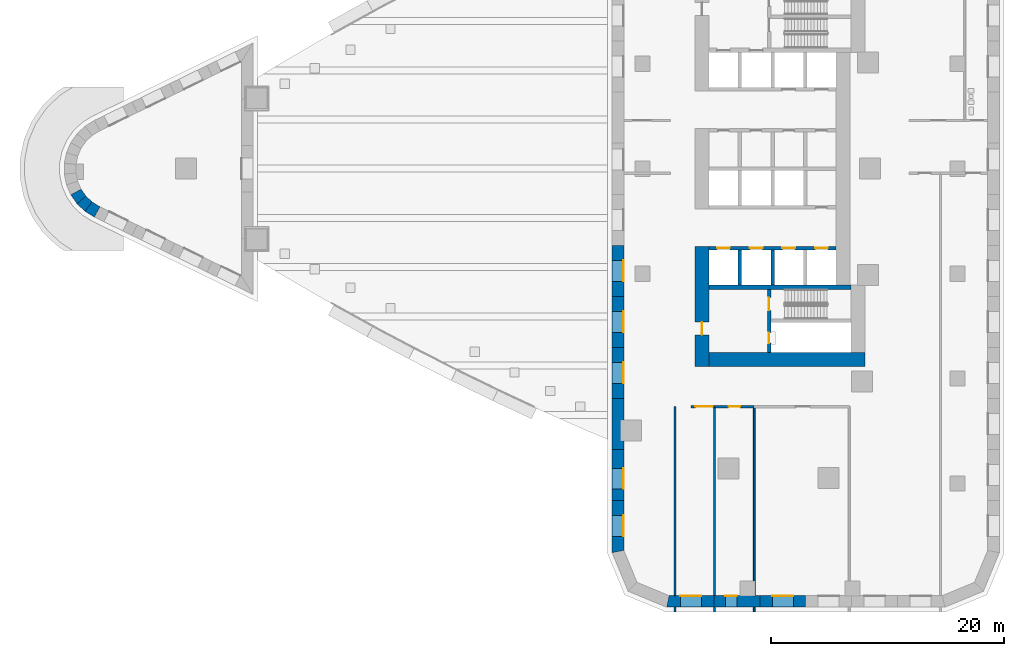
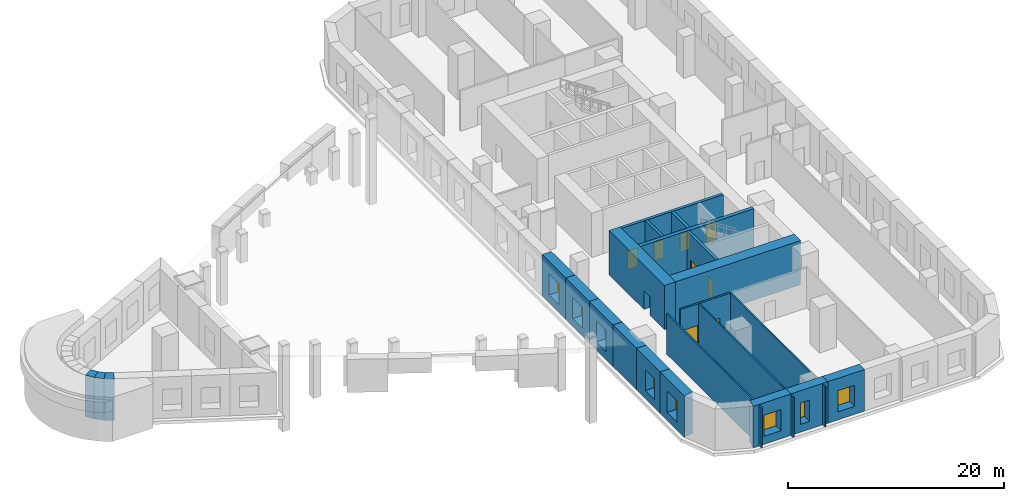
# One storey, part 2 of 11: 27 walls, 9 doors, 8 windows, 17 openings.
"""IFC4 building model written with IfcOpenShell, lengths in metres."""

from ifc_helpers import new_model, si_unit, direction, frame, frame_2d, origin, place, context, subcontext, project, spatial, polyline, rectangle, outline, extrude, material, layer, layer_set, type_object, element, fill, save


model = new_model("IFC4")

# Units and contexts
model_context = context("Model", 3, precision=1e-05, world=origin(), true_north=direction((0.0, 1.0)))
body_context = subcontext(model_context, "Body", "Model", "MODEL_VIEW")
ifc_project = project(units=[si_unit("LENGTHUNIT", "METRE"), si_unit("AREAUNIT", "SQUARE_METRE"), si_unit("VOLUMEUNIT", "CUBIC_METRE"), si_unit("PLANEANGLEUNIT", "RADIAN"), si_unit("MASSUNIT", "GRAM", prefix="KILO")], contexts=[model_context])

# Site, building, storey
site_placement = place(None, origin())
site = spatial("IfcSite", under=ifc_project, at=site_placement, CompositionType="ELEMENT")
building_placement = place(site_placement, origin())
building = spatial("IfcBuilding", under=site, at=building_placement, Name="Ostrand Prow Hotel Tower", CompositionType="ELEMENT")
storey_placement = place(building_placement, frame((0.0, 0.0, 24.0)))
storey = spatial("IfcBuildingStorey", under=building, at=storey_placement, Name="L04", CompositionType="ELEMENT", Elevation=24.0)

# Wall, opening, door
ifc_material_1 = material(Name="Concrete C80/95", Category="concrete")
ifc_layer_1 = layer(ifc_material_1, 1.199951171875)
ifc_layer_set_1 = layer_set([ifc_layer_1], Name="Concrete C80/95")
wall_type_1 = type_object("IfcWallType", Name="Core wall 1200 C80/95", PredefinedType="SHEAR", material=ifc_layer_set_1)
wall_1_placement = place(storey_placement, frame((50.10009765625, -16.949951171875, 0.0), z_axis=(0.0, 0.0, 1.0), x_axis=(0.0, 1.0, 0.0)))
wall_1 = element("IfcWall", 1, at=wall_1_placement, inside=storey, type_object=wall_type_1, Name="Core wall CW-W-S", PredefinedType="SHEAR", context=body_context, shape_type="SweptSolid", body=[
    extrude(rectangle(XDim=10.300048828125, YDim=1.199951171875, at=frame_2d((5.14990234375, 0.0))), origin(), (0.0, 0.0, 1.0), 5.0),
])
opening_1_placement = place(wall_1_placement, frame((2.699951171875, 0.0, 0.0)))
opening_1 = element("IfcOpeningElement", 2, at=opening_1_placement, cuts=wall_1, Name="Opening FD1", PredefinedType="OPENING", context=body_context, shape_type="SweptSolid", body=[
    extrude(rectangle(XDim=1.10009765625, YDim=2.10009765625, at=frame_2d((0.550048828125, 1.050048828125))), frame((0.0, 0.60986328125, 0.0), z_axis=(0.0, -1.0, 0.0), x_axis=(1.0, 0.0, 0.0)), (0.0, 0.0, 1.0), 1.219970703125),
])
ifc_material_2 = material(Name="Steel fire door", Category="steel")
door_type_1 = type_object("IfcDoorType", Name="Fire door 1100 EI120", OperationType="SINGLE_SWING_RIGHT", PredefinedType="DOOR", material=ifc_material_2)
door_1_placement = place(opening_1_placement, origin())
door_1 = element("IfcDoor", 3, at=door_1_placement, inside=storey, type_object=door_type_1, Name="FIRE DOOR", OperationType="SINGLE_SWING_RIGHT", OverallHeight=2.10009765625, OverallWidth=1.10009765625, PredefinedType="DOOR", context=body_context, shape_type="SweptSolid", body=[
    extrude(rectangle(XDim=1.10009765625, YDim=2.10009765625, at=frame_2d((0.550048828125, 1.050048828125))), frame((0.0, 0.02490234375, 0.0), z_axis=(0.0, -1.0, 0.0), x_axis=(1.0, 0.0, 0.0)), (0.0, 0.0, 1.0), 0.050048828125),
])
fill(opening_1, door_1)

# Wall
wall_2_placement = place(storey_placement, frame((50.699951171875, -16.35009765625, 0.0), z_axis=(0.0, 0.0, 1.0), x_axis=(1.0, 0.0, 0.0)))
element("IfcWall", 4, at=wall_2_placement, inside=storey, type_object=wall_type_1, Name="Core wall CW-S", PredefinedType="SHEAR", context=body_context, shape_type="SweptSolid", body=[
    extrude(rectangle(XDim=13.380126953125, YDim=1.199951171875, at=frame_2d((6.68994140625, 0.0))), origin(), (0.0, 0.0, 1.0), 5.0),
])

# Wall, openings, doors
ifc_material_3 = material(Name="Concrete C80/95", Category="concrete")
ifc_layer_2 = layer(ifc_material_3, 0.300048828125)
ifc_layer_set_2 = layer_set([ifc_layer_2], Name="Concrete C80/95")
wall_type_2 = type_object("IfcWallType", Name="Core wall 300 C80/95", PredefinedType="SHEAR", material=ifc_layer_set_2)
wall_3_placement = place(storey_placement, frame((50.699951171875, -6.800048828125, 0.0), z_axis=(0.0, 0.0, 1.0), x_axis=(1.0, 0.0, 0.0)))
wall_3 = element("IfcWall", 5, at=wall_3_placement, inside=storey, type_object=wall_type_2, Name="Core wall PW-L2-S", PredefinedType="SHEAR", context=body_context, shape_type="SweptSolid", body=[
    extrude(rectangle(XDim=10.900146484375, YDim=0.300048828125, at=frame_2d((5.4501953125, 0.0))), origin(), (0.0, 0.0, 1.0), 5.0),
])
opening_2_placement = place(wall_3_placement, frame((0.699951171875, 0.0, 0.0)))
opening_2 = element("IfcOpeningElement", 6, at=opening_2_placement, cuts=wall_3, Name="Opening LD", PredefinedType="OPENING", context=body_context, shape_type="SweptSolid", body=[
    extrude(rectangle(XDim=1.10009765625, YDim=2.10009765625, at=frame_2d((0.550048828125, 1.050048828125))), frame((0.0, 0.159912109375, 0.0), z_axis=(0.0, -1.0, 0.0), x_axis=(1.0, 0.0, 0.0)), (0.0, 0.0, 1.0), 0.320068359375),
])
opening_3_placement = place(wall_3_placement, frame((3.5, 0.0, 0.0)))
opening_3 = element("IfcOpeningElement", 7, at=opening_3_placement, cuts=wall_3, Name="Opening LD", PredefinedType="OPENING", context=body_context, shape_type="SweptSolid", body=[
    extrude(rectangle(XDim=1.10009765625, YDim=2.10009765625, at=frame_2d((0.550048828125, 1.050048828125))), frame((0.0, 0.159912109375, 0.0), z_axis=(0.0, -1.0, 0.0), x_axis=(1.0, 0.0, 0.0)), (0.0, 0.0, 1.0), 0.320068359375),
])
opening_4_placement = place(wall_3_placement, frame((6.300048828125, 0.0, 0.0)))
opening_4 = element("IfcOpeningElement", 8, at=opening_4_placement, cuts=wall_3, Name="Opening LD", PredefinedType="OPENING", context=body_context, shape_type="SweptSolid", body=[
    extrude(rectangle(XDim=1.10009765625, YDim=2.10009765625, at=frame_2d((0.550048828125, 1.050048828125))), frame((0.0, 0.159912109375, 0.0), z_axis=(0.0, -1.0, 0.0), x_axis=(1.0, 0.0, 0.0)), (0.0, 0.0, 1.0), 0.320068359375),
])
opening_5_placement = place(wall_3_placement, frame((9.10009765625, 0.0, 0.0)))
opening_5 = element("IfcOpeningElement", 9, at=opening_5_placement, cuts=wall_3, Name="Opening LD", PredefinedType="OPENING", context=body_context, shape_type="SweptSolid", body=[
    extrude(rectangle(XDim=1.10009765625, YDim=2.10009765625, at=frame_2d((0.550048828125, 1.050048828125))), frame((0.0, 0.159912109375, 0.0), z_axis=(0.0, -1.0, 0.0), x_axis=(1.0, 0.0, 0.0)), (0.0, 0.0, 1.0), 0.320068359375),
])
ifc_material_4 = material(Name="Stainless steel door", Category="steel")
door_type_2 = type_object("IfcDoorType", Name="Lift landing door 1100", OperationType="DOUBLE_DOOR_SLIDING", PredefinedType="DOOR", material=ifc_material_4)
door_2_placement = place(opening_2_placement, origin())
door_2 = element("IfcDoor", 10, at=door_2_placement, inside=storey, type_object=door_type_2, Name="LIFT LANDING DOOR", OperationType="DOUBLE_DOOR_SLIDING", OverallHeight=2.10009765625, OverallWidth=1.10009765625, PredefinedType="DOOR", context=body_context, shape_type="SweptSolid", body=[
    extrude(rectangle(XDim=1.10009765625, YDim=2.10009765625, at=frame_2d((0.550048828125, 1.050048828125))), frame((0.0, 0.02490234375, 0.0), z_axis=(0.0, -1.0, 0.0), x_axis=(1.0, 0.0, 0.0)), (0.0, 0.0, 1.0), 0.050048828125),
])
fill(opening_2, door_2)
door_3_placement = place(opening_3_placement, origin())
door_3 = element("IfcDoor", 11, at=door_3_placement, inside=storey, type_object=door_type_2, Name="LIFT LANDING DOOR", OperationType="DOUBLE_DOOR_SLIDING", OverallHeight=2.10009765625, OverallWidth=1.10009765625, PredefinedType="DOOR", context=body_context, shape_type="SweptSolid", body=[
    extrude(rectangle(XDim=1.10009765625, YDim=2.10009765625, at=frame_2d((0.550048828125, 1.050048828125))), frame((0.0, 0.02490234375, 0.0), z_axis=(0.0, -1.0, 0.0), x_axis=(1.0, 0.0, 0.0)), (0.0, 0.0, 1.0), 0.050048828125),
])
fill(opening_3, door_3)
door_4_placement = place(opening_4_placement, origin())
door_4 = element("IfcDoor", 12, at=door_4_placement, inside=storey, type_object=door_type_2, Name="LIFT LANDING DOOR", OperationType="DOUBLE_DOOR_SLIDING", OverallHeight=2.10009765625, OverallWidth=1.10009765625, PredefinedType="DOOR", context=body_context, shape_type="SweptSolid", body=[
    extrude(rectangle(XDim=1.10009765625, YDim=2.10009765625, at=frame_2d((0.550048828125, 1.050048828125))), frame((0.0, 0.02490234375, 0.0), z_axis=(0.0, -1.0, 0.0), x_axis=(1.0, 0.0, 0.0)), (0.0, 0.0, 1.0), 0.050048828125),
])
fill(opening_4, door_4)
door_5_placement = place(opening_5_placement, origin())
door_5 = element("IfcDoor", 13, at=door_5_placement, inside=storey, type_object=door_type_2, Name="LIFT LANDING DOOR", OperationType="DOUBLE_DOOR_SLIDING", OverallHeight=2.10009765625, OverallWidth=1.10009765625, PredefinedType="DOOR", context=body_context, shape_type="SweptSolid", body=[
    extrude(rectangle(XDim=1.10009765625, YDim=2.10009765625, at=frame_2d((0.550048828125, 1.050048828125))), frame((0.0, 0.02490234375, 0.0), z_axis=(0.0, -1.0, 0.0), x_axis=(1.0, 0.0, 0.0)), (0.0, 0.0, 1.0), 0.050048828125),
])
fill(opening_5, door_5)

# Walls
for number, where, z_axis, x_axis, name in (
    (14, (53.35009765625, -9.949951171875, 0.0), (0.0, 0.0, 1.0), (0.0, 1.0, 0.0), "Core wall PW-R1-SA"),
    (15, (56.14990234375, -9.949951171875, 0.0), (0.0, 0.0, 1.0), (0.0, 1.0, 0.0), "Core wall PW-R2-SA"),
):
    element("IfcWall", number, at=place(storey_placement, frame(where, z_axis=z_axis, x_axis=x_axis)), inside=storey, type_object=wall_type_2, Name=name, PredefinedType="SHEAR", context=body_context, shape_type="SweptSolid", body=[
        extrude(rectangle(XDim=3.0, YDim=0.300048828125, at=frame_2d((1.5, 0.0))), origin(), (0.0, 0.0, 1.0), 5.0),
    ])

# Wall, openings, doors
wall_4_placement = place(storey_placement, frame((55.85009765625, -15.75, 0.0), z_axis=(0.0, 0.0, 1.0), x_axis=(0.0, 1.0, 0.0)))
wall_4 = element("IfcWall", 16, at=wall_4_placement, inside=storey, type_object=wall_type_2, Name="Core wall PW-VS", PredefinedType="SHEAR", context=body_context, shape_type="SweptSolid", body=[
    extrude(rectangle(XDim=5.39990234375, YDim=0.300048828125, at=frame_2d((2.699951171875, 0.0))), origin(), (0.0, 0.0, 1.0), 5.0),
])
opening_6_placement = place(wall_4_placement, frame((3.60009765625, 0.0, 0.0)))
opening_6 = element("IfcOpeningElement", 17, at=opening_6_placement, cuts=wall_4, Name="Opening FD1", PredefinedType="OPENING", context=body_context, shape_type="SweptSolid", body=[
    extrude(rectangle(XDim=1.10009765625, YDim=2.10009765625, at=frame_2d((0.550048828125, 1.050048828125))), frame((0.0, 0.159912109375, 0.0), z_axis=(0.0, -1.0, 0.0), x_axis=(1.0, 0.0, 0.0)), (0.0, 0.0, 1.0), 0.320068359375),
])
opening_7_placement = place(wall_4_placement, frame((0.800048828125, 0.0, 0.0)))
opening_7 = element("IfcOpeningElement", 18, at=opening_7_placement, cuts=wall_4, Name="Opening FD2", PredefinedType="OPENING", context=body_context, shape_type="SweptSolid", body=[
    extrude(rectangle(XDim=0.89990234375, YDim=2.10009765625, at=frame_2d((0.449951171875, 1.050048828125))), frame((0.0, 0.159912109375, 0.0), z_axis=(0.0, -1.0, 0.0), x_axis=(1.0, 0.0, 0.0)), (0.0, 0.0, 1.0), 0.320068359375),
])
door_6_placement = place(opening_6_placement, origin())
door_6 = element("IfcDoor", 19, at=door_6_placement, inside=storey, type_object=door_type_1, Name="FIRE DOOR", OperationType="SINGLE_SWING_RIGHT", OverallHeight=2.10009765625, OverallWidth=1.10009765625, PredefinedType="DOOR", context=body_context, shape_type="SweptSolid", body=[
    extrude(rectangle(XDim=1.10009765625, YDim=2.10009765625, at=frame_2d((0.550048828125, 1.050048828125))), frame((0.0, 0.02490234375, 0.0), z_axis=(0.0, -1.0, 0.0), x_axis=(1.0, 0.0, 0.0)), (0.0, 0.0, 1.0), 0.050048828125),
])
fill(opening_6, door_6)
ifc_material_5 = material(Name="Steel fire door", Category="steel")
door_type_3 = type_object("IfcDoorType", Name="Fire door 900 EI120", OperationType="SINGLE_SWING_LEFT", PredefinedType="DOOR", material=ifc_material_5)
door_7_placement = place(opening_7_placement, origin())
door_7 = element("IfcDoor", 20, at=door_7_placement, inside=storey, type_object=door_type_3, Name="FIRE DOOR", OperationType="SINGLE_SWING_LEFT", OverallHeight=2.10009765625, OverallWidth=0.89990234375, PredefinedType="DOOR", context=body_context, shape_type="SweptSolid", body=[
    extrude(rectangle(XDim=0.89990234375, YDim=2.10009765625, at=frame_2d((0.449951171875, 1.050048828125))), frame((0.0, 0.02490234375, 0.0), z_axis=(0.0, -1.0, 0.0), x_axis=(1.0, 0.0, 0.0)), (0.0, 0.0, 1.0), 0.050048828125),
])
fill(opening_7, door_7)

# Walls
ifc_material_6 = material(Name="Concrete C80/95", Category="concrete")
ifc_layer_3 = layer(ifc_material_6, 0.39990234375)
ifc_layer_set_3 = layer_set([ifc_layer_3], Name="Concrete C80/95")
wall_type_3 = type_object("IfcWallType", Name="Core wall 400 C80/95", PredefinedType="SHEAR", material=ifc_layer_set_3)
wall_5_placement = place(storey_placement, frame((50.699951171875, -10.14990234375, 0.0), z_axis=(0.0, 0.0, 1.0), x_axis=(1.0, 0.0, 0.0)))
element("IfcWall", 21, at=wall_5_placement, inside=storey, type_object=wall_type_3, Name="Core wall PW-BS", PredefinedType="SHEAR", context=body_context, shape_type="SweptSolid", body=[
    extrude(rectangle(XDim=12.179931640625, YDim=0.39990234375, at=frame_2d((6.08984375, 0.0))), origin(), (0.0, 0.0, 1.0), 5.0),
])
ifc_material_7 = material(Name="Plasterboard partition")
ifc_layer_4 = layer(ifc_material_7, 0.14990234375)
ifc_layer_set_4 = layer_set([ifc_layer_4], Name="Plasterboard partition")
wall_type_4 = type_object("IfcWallType", Name="Partition 150 room partition", PredefinedType="PARTITIONING", material=ifc_layer_set_4)
wall_6_placement = place(storey_placement, frame((47.780029296875, -38.0, 0.0), z_axis=(0.0, 0.0, 1.0), x_axis=(0.0, 1.0, 0.0)))
element("IfcWall", 22, at=wall_6_placement, inside=storey, type_object=wall_type_4, Name="ROOM PARTITION", PredefinedType="PARTITIONING", context=body_context, shape_type="SweptSolid", body=[
    extrude(rectangle(XDim=0.39990234375, YDim=0.14990234375, at=frame_2d((0.199951171875, 0.0))), origin(), (0.0, 0.0, 1.0), 4.550048828125),
])
wall_7_placement = place(storey_placement, frame((47.780029296875, -36.60009765625, 0.0), z_axis=(0.0, 0.0, 1.0), x_axis=(0.0, 1.0, 0.0)))
element("IfcWall", 23, at=wall_7_placement, inside=storey, type_object=wall_type_4, Name="ROOM PARTITION", PredefinedType="PARTITIONING", context=body_context, shape_type="SweptSolid", body=[
    extrude(rectangle(XDim=16.2001953125, YDim=0.14990234375, at=frame_2d((8.10009765625, 0.0))), origin(), (0.0, 0.0, 1.0), 4.550048828125),
])
wall_8_placement = place(storey_placement, frame((51.179931640625, -38.0, 0.0), z_axis=(0.0, 0.0, 1.0), x_axis=(0.0, 1.0, 0.0)))
element("IfcWall", 24, at=wall_8_placement, inside=storey, type_object=wall_type_4, Name="ROOM PARTITION", PredefinedType="PARTITIONING", context=body_context, shape_type="SweptSolid", body=[
    extrude(rectangle(XDim=0.39990234375, YDim=0.14990234375, at=frame_2d((0.199951171875, 0.0))), origin(), (0.0, 0.0, 1.0), 4.550048828125),
])
wall_9_placement = place(storey_placement, frame((51.179931640625, -36.60009765625, 0.0), z_axis=(0.0, 0.0, 1.0), x_axis=(0.0, 1.0, 0.0)))
element("IfcWall", 25, at=wall_9_placement, inside=storey, type_object=wall_type_4, Name="ROOM PARTITION", PredefinedType="PARTITIONING", context=body_context, shape_type="SweptSolid", body=[
    extrude(rectangle(XDim=16.2001953125, YDim=0.14990234375, at=frame_2d((8.10009765625, 0.0))), origin(), (0.0, 0.0, 1.0), 4.550048828125),
])
wall_10_placement = place(storey_placement, frame((54.580078125, -38.0, 0.0), z_axis=(0.0, 0.0, 1.0), x_axis=(0.0, 1.0, 0.0)))
element("IfcWall", 26, at=wall_10_placement, inside=storey, type_object=wall_type_4, Name="ROOM PARTITION", PredefinedType="PARTITIONING", context=body_context, shape_type="SweptSolid", body=[
    extrude(rectangle(XDim=0.39990234375, YDim=0.14990234375, at=frame_2d((0.199951171875, 0.0))), origin(), (0.0, 0.0, 1.0), 4.550048828125),
])
wall_11_placement = place(storey_placement, frame((54.580078125, -36.60009765625, 0.0), z_axis=(0.0, 0.0, 1.0), x_axis=(0.0, 1.0, 0.0)))
element("IfcWall", 27, at=wall_11_placement, inside=storey, type_object=wall_type_4, Name="ROOM PARTITION", PredefinedType="PARTITIONING", context=body_context, shape_type="SweptSolid", body=[
    extrude(rectangle(XDim=16.2001953125, YDim=0.14990234375, at=frame_2d((8.10009765625, 0.0))), origin(), (0.0, 0.0, 1.0), 4.550048828125),
])

# Wall, opening, door
ifc_material_8 = material(Name="Plasterboard partition")
ifc_layer_5 = layer(ifc_material_8, 0.199951171875)
ifc_layer_set_5 = layer_set([ifc_layer_5], Name="Plasterboard partition")
wall_type_5 = type_object("IfcWallType", Name="Partition 200 corridor wall", PredefinedType="PARTITIONING", material=ifc_layer_set_5)
wall_12_placement = place(storey_placement, frame((49.169921875, -20.39990234375, 0.0), z_axis=(0.0, 0.0, 1.0), x_axis=(1.0, 0.0, 0.0)))
wall_12 = element("IfcWall", 28, at=wall_12_placement, inside=storey, type_object=wall_type_5, Name="CORRIDOR WALL", PredefinedType="PARTITIONING", context=body_context, shape_type="SweptSolid", body=[
    extrude(rectangle(XDim=2.010009765625, YDim=0.199951171875, at=frame_2d((1.0048828125, 0.0))), origin(), (0.0, 0.0, 1.0), 4.550048828125),
])
opening_8_placement = place(wall_12_placement, frame((0.360107421875, 0.0, 0.0)))
opening_8 = element("IfcOpeningElement", 29, at=opening_8_placement, cuts=wall_12, Name="Opening D15", PredefinedType="OPENING", context=body_context, shape_type="SweptSolid", body=[
    extrude(rectangle(XDim=1.5, YDim=2.10009765625, at=frame_2d((0.75, 1.050048828125))), frame((0.0, 0.10986328125, 0.0), z_axis=(0.0, -1.0, 0.0), x_axis=(1.0, 0.0, 0.0)), (0.0, 0.0, 1.0), 0.219970703125),
])
ifc_material_9 = material(Name="Timber door leaf", Category="wood")
door_type_4 = type_object("IfcDoorType", Name="Double door 1500", OperationType="DOUBLE_DOOR_SINGLE_SWING", PredefinedType="DOOR", material=ifc_material_9)
door_8_placement = place(opening_8_placement, origin())
door_8 = element("IfcDoor", 30, at=door_8_placement, inside=storey, type_object=door_type_4, Name="DOOR", OperationType="DOUBLE_DOOR_SINGLE_SWING", OverallHeight=2.10009765625, OverallWidth=1.5, PredefinedType="DOOR", context=body_context, shape_type="SweptSolid", body=[
    extrude(rectangle(XDim=1.5, YDim=2.10009765625, at=frame_2d((0.75, 1.050048828125))), frame((0.0, 0.02490234375, 0.0), z_axis=(0.0, -1.0, 0.0), x_axis=(1.0, 0.0, 0.0)), (0.0, 0.0, 1.0), 0.050048828125),
])
fill(opening_8, door_8)

wall_13_placement = place(storey_placement, frame((51.179931640625, -20.39990234375, 0.0), z_axis=(0.0, 0.0, 1.0), x_axis=(1.0, 0.0, 0.0)))
wall_13 = element("IfcWall", 31, at=wall_13_placement, inside=storey, type_object=wall_type_5, Name="CORRIDOR WALL", PredefinedType="PARTITIONING", context=body_context, shape_type="SweptSolid", body=[
    extrude(rectangle(XDim=3.400146484375, YDim=0.199951171875, at=frame_2d((1.7001953125, 0.0))), origin(), (0.0, 0.0, 1.0), 4.550048828125),
])
opening_9_placement = place(wall_13_placement, frame((1.199951171875, 0.0, 0.0)))
opening_9 = element("IfcOpeningElement", 32, at=opening_9_placement, cuts=wall_13, Name="Opening D1R", PredefinedType="OPENING", context=body_context, shape_type="SweptSolid", body=[
    extrude(rectangle(XDim=1.0, YDim=2.10009765625, at=frame_2d((0.5, 1.050048828125))), frame((0.0, 0.10986328125, 0.0), z_axis=(0.0, -1.0, 0.0), x_axis=(1.0, 0.0, 0.0)), (0.0, 0.0, 1.0), 0.219970703125),
])
ifc_material_10 = material(Name="Timber door leaf", Category="wood")
door_type_5 = type_object("IfcDoorType", Name="Guest room door 1000 right", OperationType="SINGLE_SWING_RIGHT", PredefinedType="DOOR", material=ifc_material_10)
door_9_placement = place(opening_9_placement, origin())
door_9 = element("IfcDoor", 33, at=door_9_placement, inside=storey, type_object=door_type_5, Name="DOOR", OperationType="SINGLE_SWING_RIGHT", OverallHeight=2.10009765625, OverallWidth=1.0, PredefinedType="DOOR", context=body_context, shape_type="SweptSolid", body=[
    extrude(rectangle(XDim=1.0, YDim=2.10009765625, at=frame_2d((0.5, 1.050048828125))), frame((0.0, 0.02490234375, 0.0), z_axis=(0.0, -1.0, 0.0), x_axis=(1.0, 0.0, 0.0)), (0.0, 0.0, 1.0), 0.050048828125),
])
fill(opening_9, door_9)

# Walls
ifc_material_11 = material(Name="Precast concrete C40/50", Category="concrete")
ifc_layer_6 = layer(ifc_material_11, 1.0)
ifc_layer_set_6 = layer_set([ifc_layer_6], Name="Precast concrete C40/50")
wall_type_6 = type_object("IfcWallType", Name="Portal pier wall 1000 mm", PredefinedType="NOTDEFINED", material=ifc_layer_set_6)
wall_14_placement = place(storey_placement, frame((-3.57861328125, -1.991455078125, 0.0), z_axis=(0.0, 0.0, 1.0), x_axis=(0.572416108775, -0.819963290895, 0.0)))
element("IfcWall", 34, at=wall_14_placement, inside=storey, type_object=wall_type_6, Name="Portal pier wall L04-PP017", PredefinedType="NOTDEFINED", context=body_context, shape_type="SweptSolid", body=[
    extrude(outline(polyline([(-0.051025390625, -0.5), (0.88134765625, -0.5), (0.779296875, 0.5), (0.051025390625, 0.5), (-0.051025390625, -0.5)])), origin(), (0.0, 0.0, 1.0), 4.699951171875),
])
wall_15_placement = place(storey_placement, frame((-3.103271484375, -2.67236328125, 0.0), z_axis=(0.0, 0.0, 1.0), x_axis=(0.726099436492, -0.687589709293, 0.0)))
element("IfcWall", 35, at=wall_15_placement, inside=storey, type_object=wall_type_6, Name="Portal pier wall L04-PP018", PredefinedType="NOTDEFINED", context=body_context, shape_type="SweptSolid", body=[
    extrude(outline(polyline([(-0.051025390625, -0.5), (0.881591796875, -0.5), (0.779541015625, 0.5), (0.051025390625, 0.5), (-0.051025390625, -0.5)])), origin(), (0.0, 0.0, 1.0), 4.699951171875),
])
wall_16_placement = place(storey_placement, frame((-2.500244140625, -3.243408203125, 0.0), z_axis=(0.0, 0.0, 1.0), x_axis=(0.849777890555, -0.527140907846, 0.0)))
element("IfcWall", 36, at=wall_16_placement, inside=storey, type_object=wall_type_6, Name="Portal pier wall L04-PP019", PredefinedType="NOTDEFINED", context=body_context, shape_type="SweptSolid", body=[
    extrude(outline(polyline([(-0.051025390625, -0.5), (0.901611328125, -0.5), (0.850830078125, 0.5), (0.051025390625, 0.5), (-0.051025390625, -0.5)])), origin(), (0.0, 0.0, 1.0), 4.699951171875),
])

# Wall, opening, window
wall_17_placement = place(storey_placement, frame((47.178955078125, -37.10009765625, 0.0), z_axis=(0.0, 0.0, 1.0), x_axis=(1.0, 0.0, 0.0)))
wall_17 = element("IfcWall", 37, at=wall_17_placement, inside=storey, type_object=wall_type_6, Name="Portal pier wall L04-PP100", PredefinedType="NOTDEFINED", context=body_context, shape_type="SweptSolid", body=[
    extrude(outline(polyline([(-0.099609375, -0.5), (3.9404296875, -0.5), (3.9404296875, 0.5), (0.099609375, 0.5), (-0.099609375, -0.5)])), origin(), (0.0, 0.0, 1.0), 4.699951171875),
])
opening_10_placement = place(wall_17_placement, frame((1.0703125, 0.0, 0.89990234375)))
opening_10 = element("IfcOpeningElement", 38, at=opening_10_placement, cuts=wall_17, Name="Opening WP2", PredefinedType="OPENING", context=body_context, shape_type="SweptSolid", body=[
    extrude(rectangle(XDim=1.800048828125, YDim=2.39990234375, at=frame_2d((0.89990234375, 1.199951171875))), frame((0.0, 0.510009765625, 0.0), z_axis=(0.0, -1.0, 0.0), x_axis=(1.0, 0.0, 0.0)), (0.0, 0.0, 1.0), 1.02001953125),
])
ifc_material_12 = material(Name="Insulated glass in bronze anodised frame", Category="glass")
window_type = type_object("IfcWindowType", Name="Portal window 1800x2400", PartitioningType="SINGLE_PANEL", PredefinedType="WINDOW", material=ifc_material_12)
window_1_placement = place(opening_10_placement, origin())
window_1 = element("IfcWindow", 39, at=window_1_placement, inside=storey, type_object=window_type, Name="Portal window L04-PP100", OverallHeight=2.39990234375, OverallWidth=1.800048828125, PartitioningType="SINGLE_PANEL", PredefinedType="WINDOW", context=body_context, shape_type="SweptSolid", body=[
    extrude(rectangle(XDim=1.800048828125, YDim=2.39990234375, at=frame_2d((0.89990234375, 1.199951171875))), frame((0.0, 0.5, 0.0), z_axis=(0.0, -1.0, 0.0), x_axis=(1.0, 0.0, 0.0)), (0.0, 0.0, 1.0), 0.06005859375),
])
fill(opening_10, window_1)

wall_18_placement = place(storey_placement, frame((51.119384765625, -37.10009765625, 0.0), z_axis=(0.0, 0.0, 1.0), x_axis=(1.0, 0.0, 0.0)))
wall_18 = element("IfcWall", 40, at=wall_18_placement, inside=storey, type_object=wall_type_6, Name="Portal pier wall L04-PP101", PredefinedType="NOTDEFINED", context=body_context, shape_type="SweptSolid", body=[
    extrude(outline(polyline([(0.0, -0.5), (3.9404296875, -0.5), (3.9404296875, 0.5), (0.0, 0.5), (0.0, -0.5)])), origin(), (0.0, 0.0, 1.0), 4.699951171875),
])
opening_11_placement = place(wall_18_placement, frame((1.0, 0.0, 0.89990234375)))
opening_11 = element("IfcOpeningElement", 41, at=opening_11_placement, cuts=wall_18, Name="Opening WP2", PredefinedType="OPENING", context=body_context, shape_type="SweptSolid", body=[
    extrude(rectangle(XDim=0.980712890625, YDim=2.39990234375, at=frame_2d((0.490234375, 1.199951171875))), frame((0.0, 0.510009765625, 0.0), z_axis=(0.0, -1.0, 0.0), x_axis=(1.0, 0.0, 0.0)), (0.0, 0.0, 1.0), 1.02001953125),
])
window_2_placement = place(opening_11_placement, origin())
window_2 = element("IfcWindow", 42, at=window_2_placement, inside=storey, type_object=window_type, Name="Portal window L04-PP101", OverallHeight=2.39990234375, OverallWidth=0.980712890625, PartitioningType="SINGLE_PANEL", PredefinedType="WINDOW", context=body_context, shape_type="SweptSolid", body=[
    extrude(rectangle(XDim=0.980712890625, YDim=2.39990234375, at=frame_2d((0.490234375, 1.199951171875))), frame((0.0, 0.5, 0.0), z_axis=(0.0, -1.0, 0.0), x_axis=(1.0, 0.0, 0.0)), (0.0, 0.0, 1.0), 0.06005859375),
])
fill(opening_11, window_2)

wall_19_placement = place(storey_placement, frame((55.059814453125, -37.10009765625, 0.0), z_axis=(0.0, 0.0, 1.0), x_axis=(1.0, 0.0, 0.0)))
wall_19 = element("IfcWall", 43, at=wall_19_placement, inside=storey, type_object=wall_type_6, Name="Portal pier wall L04-PP102", PredefinedType="NOTDEFINED", context=body_context, shape_type="SweptSolid", body=[
    extrude(outline(polyline([(0.0, -0.5), (3.940185546875, -0.5), (3.940185546875, 0.5), (0.0, 0.5), (0.0, -0.5)])), origin(), (0.0, 0.0, 1.0), 4.699951171875),
])
opening_12_placement = place(wall_19_placement, frame((1.0703125, 0.0, 0.89990234375)))
opening_12 = element("IfcOpeningElement", 44, at=opening_12_placement, cuts=wall_19, Name="Opening WP2", PredefinedType="OPENING", context=body_context, shape_type="SweptSolid", body=[
    extrude(rectangle(XDim=1.800048828125, YDim=2.39990234375, at=frame_2d((0.89990234375, 1.199951171875))), frame((0.0, 0.510009765625, 0.0), z_axis=(0.0, -1.0, 0.0), x_axis=(1.0, 0.0, 0.0)), (0.0, 0.0, 1.0), 1.02001953125),
])
window_3_placement = place(opening_12_placement, origin())
window_3 = element("IfcWindow", 45, at=window_3_placement, inside=storey, type_object=window_type, Name="Portal window L04-PP102", OverallHeight=2.39990234375, OverallWidth=1.800048828125, PartitioningType="SINGLE_PANEL", PredefinedType="WINDOW", context=body_context, shape_type="SweptSolid", body=[
    extrude(rectangle(XDim=1.800048828125, YDim=2.39990234375, at=frame_2d((0.89990234375, 1.199951171875))), frame((0.0, 0.5, 0.0), z_axis=(0.0, -1.0, 0.0), x_axis=(1.0, 0.0, 0.0)), (0.0, 0.0, 1.0), 0.06005859375),
])
fill(opening_12, window_3)

wall_20_placement = place(storey_placement, frame((42.89990234375, -6.564208984375, 0.0), z_axis=(0.0, 0.0, 1.0), x_axis=(0.0, -1.0, 0.0)))
wall_20 = element("IfcWall", 46, at=wall_20_placement, inside=storey, type_object=wall_type_6, Name="Portal pier wall L04-PP142", PredefinedType="NOTDEFINED", context=body_context, shape_type="SweptSolid", body=[
    extrude(outline(polyline([(0.0, -0.5), (4.3759765625, -0.5), (4.3759765625, 0.5), (0.0, 0.5), (0.0, -0.5)])), origin(), (0.0, 0.0, 1.0), 4.699951171875),
])
opening_13_placement = place(wall_20_placement, frame((1.2880859375, 0.0, 0.89990234375)))
opening_13 = element("IfcOpeningElement", 47, at=opening_13_placement, cuts=wall_20, Name="Opening WP2", PredefinedType="OPENING", context=body_context, shape_type="SweptSolid", body=[
    extrude(rectangle(XDim=1.800048828125, YDim=2.39990234375, at=frame_2d((0.89990234375, 1.199951171875))), frame((0.0, 0.510009765625, 0.0), z_axis=(0.0, -1.0, 0.0), x_axis=(1.0, 0.0, 0.0)), (0.0, 0.0, 1.0), 1.02001953125),
])
window_4_placement = place(opening_13_placement, origin())
window_4 = element("IfcWindow", 48, at=window_4_placement, inside=storey, type_object=window_type, Name="Portal window L04-PP142", OverallHeight=2.39990234375, OverallWidth=1.800048828125, PartitioningType="SINGLE_PANEL", PredefinedType="WINDOW", context=body_context, shape_type="SweptSolid", body=[
    extrude(rectangle(XDim=1.800048828125, YDim=2.39990234375, at=frame_2d((0.89990234375, 1.199951171875))), frame((0.0, 0.5, 0.0), z_axis=(0.0, -1.0, 0.0), x_axis=(1.0, 0.0, 0.0)), (0.0, 0.0, 1.0), 0.06005859375),
])
fill(opening_13, window_4)

wall_21_placement = place(storey_placement, frame((42.89990234375, -10.940185546875, 0.0), z_axis=(0.0, 0.0, 1.0), x_axis=(0.0, -1.0, 0.0)))
wall_21 = element("IfcWall", 49, at=wall_21_placement, inside=storey, type_object=wall_type_6, Name="Portal pier wall L04-PP143", PredefinedType="NOTDEFINED", context=body_context, shape_type="SweptSolid", body=[
    extrude(outline(polyline([(0.0, -0.5), (4.376220703125, -0.5), (4.376220703125, 0.5), (0.0, 0.5), (0.0, -0.5)])), origin(), (0.0, 0.0, 1.0), 4.699951171875),
])
opening_14_placement = place(wall_21_placement, frame((1.2880859375, 0.0, 0.89990234375)))
opening_14 = element("IfcOpeningElement", 50, at=opening_14_placement, cuts=wall_21, Name="Opening WP2", PredefinedType="OPENING", context=body_context, shape_type="SweptSolid", body=[
    extrude(rectangle(XDim=1.800048828125, YDim=2.39990234375, at=frame_2d((0.89990234375, 1.199951171875))), frame((0.0, 0.510009765625, 0.0), z_axis=(0.0, -1.0, 0.0), x_axis=(1.0, 0.0, 0.0)), (0.0, 0.0, 1.0), 1.02001953125),
])
window_5_placement = place(opening_14_placement, origin())
window_5 = element("IfcWindow", 51, at=window_5_placement, inside=storey, type_object=window_type, Name="Portal window L04-PP143", OverallHeight=2.39990234375, OverallWidth=1.800048828125, PartitioningType="SINGLE_PANEL", PredefinedType="WINDOW", context=body_context, shape_type="SweptSolid", body=[
    extrude(rectangle(XDim=1.800048828125, YDim=2.39990234375, at=frame_2d((0.89990234375, 1.199951171875))), frame((0.0, 0.5, 0.0), z_axis=(0.0, -1.0, 0.0), x_axis=(1.0, 0.0, 0.0)), (0.0, 0.0, 1.0), 0.06005859375),
])
fill(opening_14, window_5)

wall_22_placement = place(storey_placement, frame((42.89990234375, -15.31640625, 0.0), z_axis=(0.0, 0.0, 1.0), x_axis=(0.0, -1.0, 0.0)))
wall_22 = element("IfcWall", 52, at=wall_22_placement, inside=storey, type_object=wall_type_6, Name="Portal pier wall L04-PP144", PredefinedType="NOTDEFINED", context=body_context, shape_type="SweptSolid", body=[
    extrude(outline(polyline([(0.0, -0.5), (4.376220703125, -0.5), (4.376220703125, 0.5), (0.0, 0.5), (0.0, -0.5)])), origin(), (0.0, 0.0, 1.0), 4.699951171875),
])
opening_15_placement = place(wall_22_placement, frame((1.2880859375, 0.0, 0.89990234375)))
opening_15 = element("IfcOpeningElement", 53, at=opening_15_placement, cuts=wall_22, Name="Opening WP2", PredefinedType="OPENING", context=body_context, shape_type="SweptSolid", body=[
    extrude(rectangle(XDim=1.800048828125, YDim=2.39990234375, at=frame_2d((0.89990234375, 1.199951171875))), frame((0.0, 0.510009765625, 0.0), z_axis=(0.0, -1.0, 0.0), x_axis=(1.0, 0.0, 0.0)), (0.0, 0.0, 1.0), 1.02001953125),
])
window_6_placement = place(opening_15_placement, origin())
window_6 = element("IfcWindow", 54, at=window_6_placement, inside=storey, type_object=window_type, Name="Portal window L04-PP144", OverallHeight=2.39990234375, OverallWidth=1.800048828125, PartitioningType="SINGLE_PANEL", PredefinedType="WINDOW", context=body_context, shape_type="SweptSolid", body=[
    extrude(rectangle(XDim=1.800048828125, YDim=2.39990234375, at=frame_2d((0.89990234375, 1.199951171875))), frame((0.0, 0.5, 0.0), z_axis=(0.0, -1.0, 0.0), x_axis=(1.0, 0.0, 0.0)), (0.0, 0.0, 1.0), 0.06005859375),
])
fill(opening_15, window_6)

# Wall
wall_23_placement = place(storey_placement, frame((42.89990234375, -19.692626953125, 0.0), z_axis=(0.0, 0.0, 1.0), x_axis=(0.0, -1.0, 0.0)))
element("IfcWall", 55, at=wall_23_placement, inside=storey, type_object=wall_type_6, Name="Portal pier wall L04-PP145", PredefinedType="NOTDEFINED", context=body_context, shape_type="SweptSolid", body=[
    extrude(outline(polyline([(0.0, -0.5), (4.3759765625, -0.5), (4.3759765625, 0.5), (0.0, 0.5), (0.0, -0.5)])), origin(), (0.0, 0.0, 1.0), 4.699951171875),
])

# Wall, opening, window
wall_24_placement = place(storey_placement, frame((42.89990234375, -24.068603515625, 0.0), z_axis=(0.0, 0.0, 1.0), x_axis=(0.0, -1.0, 0.0)))
wall_24 = element("IfcWall", 56, at=wall_24_placement, inside=storey, type_object=wall_type_6, Name="Portal pier wall L04-PP146", PredefinedType="NOTDEFINED", context=body_context, shape_type="SweptSolid", body=[
    extrude(outline(polyline([(0.0, -0.5), (4.376220703125, -0.5), (4.376220703125, 0.5), (0.0, 0.5), (0.0, -0.5)])), origin(), (0.0, 0.0, 1.0), 4.699951171875),
])
opening_16_placement = place(wall_24_placement, frame((1.615478515625, 0.0, 0.89990234375)))
opening_16 = element("IfcOpeningElement", 57, at=opening_16_placement, cuts=wall_24, Name="Opening WP2", PredefinedType="OPENING", context=body_context, shape_type="SweptSolid", body=[
    extrude(rectangle(XDim=1.760498046875, YDim=2.39990234375, at=frame_2d((0.88037109375, 1.199951171875))), frame((0.0, 0.510009765625, 0.0), z_axis=(0.0, -1.0, 0.0), x_axis=(1.0, 0.0, 0.0)), (0.0, 0.0, 1.0), 1.02001953125),
])
window_7_placement = place(opening_16_placement, origin())
window_7 = element("IfcWindow", 58, at=window_7_placement, inside=storey, type_object=window_type, Name="Portal window L04-PP146", OverallHeight=2.39990234375, OverallWidth=1.760498046875, PartitioningType="SINGLE_PANEL", PredefinedType="WINDOW", context=body_context, shape_type="SweptSolid", body=[
    extrude(rectangle(XDim=1.760498046875, YDim=2.39990234375, at=frame_2d((0.88037109375, 1.199951171875))), frame((0.0, 0.5, 0.0), z_axis=(0.0, -1.0, 0.0), x_axis=(1.0, 0.0, 0.0)), (0.0, 0.0, 1.0), 0.06005859375),
])
fill(opening_16, window_7)

wall_25_placement = place(storey_placement, frame((42.89990234375, -28.44482421875, 0.0), z_axis=(0.0, 0.0, 1.0), x_axis=(0.0, -1.0, 0.0)))
wall_25 = element("IfcWall", 59, at=wall_25_placement, inside=storey, type_object=wall_type_6, Name="Portal pier wall L04-PP147", PredefinedType="NOTDEFINED", context=body_context, shape_type="SweptSolid", body=[
    extrude(outline(polyline([(0.0, -0.5), (4.475830078125, -0.5), (4.276611328125, 0.5), (0.0, 0.5), (0.0, -0.5)])), origin(), (0.0, 0.0, 1.0), 4.699951171875),
])
opening_17_placement = place(wall_25_placement, frame((1.2880859375, 0.0, 0.89990234375)))
opening_17 = element("IfcOpeningElement", 60, at=opening_17_placement, cuts=wall_25, Name="Opening WP2", PredefinedType="OPENING", context=body_context, shape_type="SweptSolid", body=[
    extrude(rectangle(XDim=1.800048828125, YDim=2.39990234375, at=frame_2d((0.89990234375, 1.199951171875))), frame((0.0, 0.510009765625, 0.0), z_axis=(0.0, -1.0, 0.0), x_axis=(1.0, 0.0, 0.0)), (0.0, 0.0, 1.0), 1.02001953125),
])
window_8_placement = place(opening_17_placement, origin())
window_8 = element("IfcWindow", 61, at=window_8_placement, inside=storey, type_object=window_type, Name="Portal window L04-PP147", OverallHeight=2.39990234375, OverallWidth=1.800048828125, PartitioningType="SINGLE_PANEL", PredefinedType="WINDOW", context=body_context, shape_type="SweptSolid", body=[
    extrude(rectangle(XDim=1.800048828125, YDim=2.39990234375, at=frame_2d((0.89990234375, 1.199951171875))), frame((0.0, 0.5, 0.0), z_axis=(0.0, -1.0, 0.0), x_axis=(1.0, 0.0, 0.0)), (0.0, 0.0, 1.0), 0.06005859375),
])
fill(opening_17, window_8)

save(model, "model.ifc")
